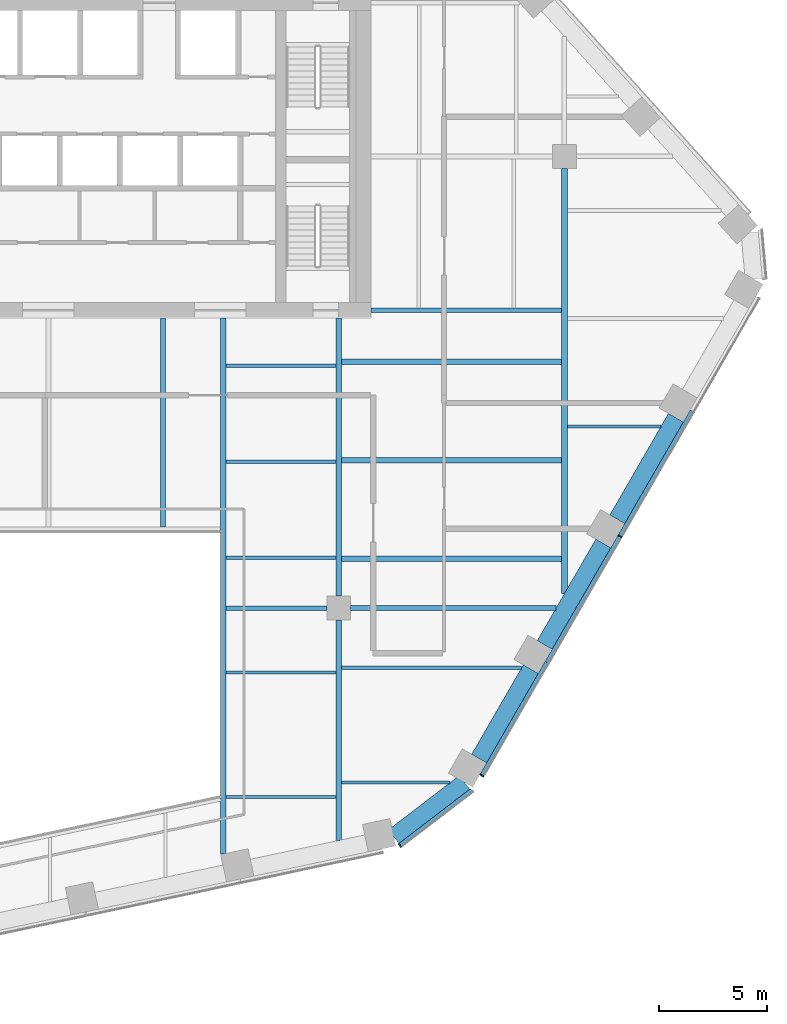
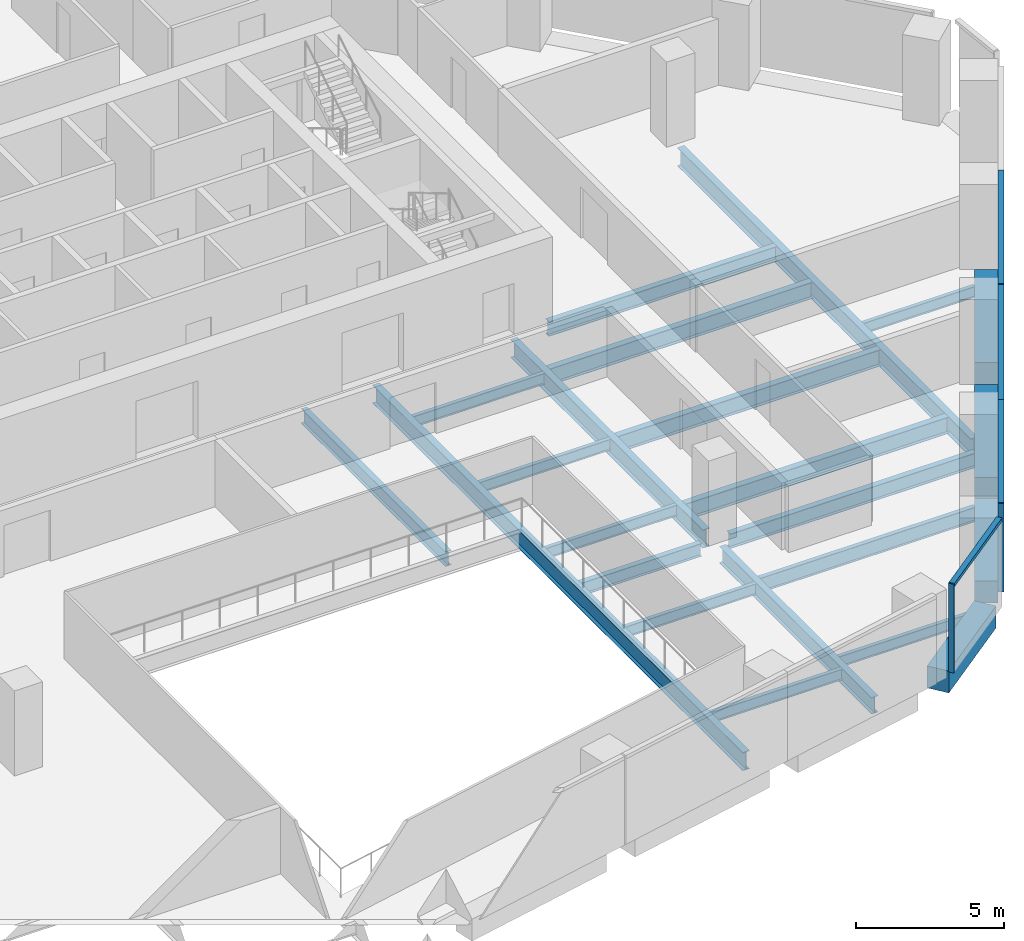
# One storey, part 5 of 16: 23 beams, 7 members, 2 elements without a shape of their own.
"""IFC4 building model written with IfcOpenShell, lengths in metres."""

from ifc_helpers import new_model, si_unit, direction, frame, origin, origin_2d, place, context, subcontext, project, spatial, rectangle, i_section, extrude, material, layer, layer_set, material_profile, profile_set, type_object, element, aggregate, save


model = new_model("IFC4")

# Units and contexts
model_context = context("Model", 3, precision=1e-05, world=origin(), true_north=direction((0.0, 1.0)))
body_context = subcontext(model_context, "Body", "Model", "MODEL_VIEW")
ifc_project = project(units=[si_unit("LENGTHUNIT", "METRE"), si_unit("AREAUNIT", "SQUARE_METRE"), si_unit("VOLUMEUNIT", "CUBIC_METRE"), si_unit("PLANEANGLEUNIT", "RADIAN"), si_unit("MASSUNIT", "GRAM", prefix="KILO")], contexts=[model_context])

# Site, building, storey
site_placement = place(None, origin())
site = spatial("IfcSite", under=ifc_project, at=site_placement, CompositionType="ELEMENT")
building_placement = place(site_placement, origin())
building = spatial("IfcBuilding", under=site, at=building_placement, Name="Isthmus Gate Tower", CompositionType="ELEMENT")
storey_placement = place(building_placement, frame((0.0, 0.0, 196.35009765625)))
storey = spatial("IfcBuildingStorey", under=building, at=storey_placement, Name="L49", CompositionType="ELEMENT", Elevation=196.35009765625)

# Curtain wall, member
ifc_material_1 = material(Name="Aluminium, pale champagne anodised", Category="aluminium")
ifc_layer = layer(ifc_material_1, 0.199951171875)
ifc_layer_set = layer_set([ifc_layer], Name="CW-1 UNITISED CURTAIN WALL 200 DEEP")
curtain_wall_type = type_object("IfcCurtainWallType", Name="CW-1 UNITISED CURTAIN WALL 200 DEEP", PredefinedType="NOTDEFINED", material=ifc_layer_set)
curtain_wall_1_placement = place(storey_placement, origin())
curtain_wall_1 = element("IfcCurtainWall", 1, at=curtain_wall_1_placement, inside=storey, type_object=curtain_wall_type, Name="CW-1 S-SE L49", PredefinedType="NOTDEFINED")
ifc_material_2 = material(Name="Aluminium, pale champagne anodised", Category="aluminium")
ifc_material_profile_1 = material_profile(ifc_material_2, rectangle(XDim=0.06005859375, YDim=0.199951171875, at=origin_2d()), Name="60x200")
ifc_profile_set_1 = profile_set([ifc_material_profile_1], Name="Aluminium, pale champagne anodised")
member_type_1 = type_object("IfcMemberType", Name="CW-1 MULLION 60 X 200", PredefinedType="MULLION", material=ifc_profile_set_1)
member_1_placement = place(storey_placement, frame((16.346435546875, -24.5419921875, 0.0), z_axis=(0.0, 0.0, 1.0), x_axis=(0.794188594387, 0.607671355706, 0.0)))
member_1 = element("IfcMember", 2, at=member_1_placement, type_object=member_type_1, Name="CW-1 mullion", PredefinedType="MULLION", context=body_context, shape_type="SweptSolid", body=[
    extrude(rectangle(XDim=0.06005859375, YDim=0.199951171875, at=origin_2d()), origin(), (0.0, 0.0, 1.0), 3.64990234375),
])

# Curtain wall, members
curtain_wall_2_placement = place(storey_placement, origin())
curtain_wall_2 = element("IfcCurtainWall", 3, at=curtain_wall_2_placement, inside=storey, type_object=curtain_wall_type, Name="CW-1 SE L49", PredefinedType="NOTDEFINED")
member_2_placement = place(storey_placement, frame((20.156005859375, -21.288818359375, 0.0), z_axis=(0.0, 0.0, 1.0), x_axis=(0.5, 0.866025403784, 0.0)))
member_2 = element("IfcMember", 4, at=member_2_placement, type_object=member_type_1, Name="CW-1 mullion", PredefinedType="MULLION", context=body_context, shape_type="SweptSolid", body=[
    extrude(rectangle(XDim=0.06005859375, YDim=0.199951171875, at=origin_2d()), origin(), (0.0, 0.0, 1.0), 3.64990234375),
])
member_3_placement = place(storey_placement, frame((26.5810546875, -10.16015625, 0.0), z_axis=(0.0, 0.0, 1.0), x_axis=(0.5, 0.866025403784, 0.0)))
member_3 = element("IfcMember", 5, at=member_3_placement, type_object=member_type_1, Name="CW-1 mullion", PredefinedType="MULLION", context=body_context, shape_type="SweptSolid", body=[
    extrude(rectangle(XDim=0.06005859375, YDim=0.199951171875, at=origin_2d()), origin(), (0.0, 0.0, 1.0), 3.64990234375),
])

# Member
ifc_material_3 = material(Name="Aluminium, pale champagne anodised", Category="aluminium")
ifc_material_profile_2 = material_profile(ifc_material_3, rectangle(XDim=0.199951171875, YDim=0.139892578125, at=origin_2d()), Name="200x140")
ifc_profile_set_2 = profile_set([ifc_material_profile_2], Name="Aluminium, pale champagne anodised")
member_type_2 = type_object("IfcMemberType", Name="CW-1 TRANSOM 200 X 140", PredefinedType="USERDEFINED", material=ifc_profile_set_2)
member_4_placement = place(storey_placement, frame((16.3701171875, -24.52392578125, 3.579833984375), z_axis=(0.79419705805, 0.607660294066, 0.0), x_axis=(-0.607660294066, 0.79419705805, 0.0)))
member_4 = element("IfcMember", 6, at=member_4_placement, type_object=member_type_2, Name="CW-1 transom", ObjectType="TRANSOM", PredefinedType="USERDEFINED", context=body_context, shape_type="SweptSolid", body=[
    extrude(rectangle(XDim=0.199951171875, YDim=0.139892578125, at=origin_2d()), origin(), (0.0, 0.0, 1.0), 4.181640625),
])

aggregate(curtain_wall_1, [member_1, member_4])

member_5_placement = place(storey_placement, frame((20.171142578125, -21.2626953125, 3.579833984375), z_axis=(0.499990697366, 0.866030774596, 0.0), x_axis=(-0.866030774596, 0.499990697366, 0.0)))
member_5 = element("IfcMember", 7, at=member_5_placement, type_object=member_type_2, Name="CW-1 transom", ObjectType="TRANSOM", PredefinedType="USERDEFINED", context=body_context, shape_type="SweptSolid", body=[
    extrude(rectangle(XDim=0.199951171875, YDim=0.139892578125, at=origin_2d()), origin(), (0.0, 0.0, 1.0), 6.0400390625),
])

member_6_placement = place(storey_placement, frame((23.191162109375, -16.03173828125, 3.579833984375), z_axis=(0.499997969693, 0.866026575979, 0.0), x_axis=(-0.866026575979, 0.499997969693, 0.0)))
member_6 = element("IfcMember", 8, at=member_6_placement, type_object=member_type_2, Name="CW-1 transom", ObjectType="TRANSOM", PredefinedType="USERDEFINED", context=body_context, shape_type="SweptSolid", body=[
    extrude(rectangle(XDim=0.199951171875, YDim=0.139892578125, at=origin_2d()), origin(), (0.0, 0.0, 1.0), 6.75),
])

member_7_placement = place(storey_placement, frame((26.59619140625, -10.134033203125, 3.579833984375), z_axis=(0.499997283838, 0.866026971956, 0.0), x_axis=(-0.866026971956, 0.499997283838, 0.0)))
member_7 = element("IfcMember", 9, at=member_7_placement, type_object=member_type_2, Name="CW-1 transom", ObjectType="TRANSOM", PredefinedType="USERDEFINED", context=body_context, shape_type="SweptSolid", body=[
    extrude(rectangle(XDim=0.199951171875, YDim=0.139892578125, at=origin_2d()), origin(), (0.0, 0.0, 1.0), 6.68994140625),
])

aggregate(curtain_wall_2, [member_2, member_5, member_6, member_3, member_7])

# Beams
ifc_material_4 = material(Name="Concrete f'c 60 MPa", Category="concrete")
ifc_material_profile_3 = material_profile(ifc_material_4, rectangle(XDim=0.800048828125, YDim=0.89990234375, at=origin_2d()), Name="RC 800X900")
ifc_profile_set_3 = profile_set([ifc_material_profile_3], Name="Concrete f'c 60 MPa")
beam_type_1 = type_object("IfcBeamType", Name="RC SPANDREL 800 X 900", PredefinedType="SPANDREL", material=ifc_profile_set_3)
beam_1_placement = place(storey_placement, frame((29.18310546875, -4.653076171875, -0.4501953125), z_axis=(-0.49996933381, -0.866043108194, 0.0), x_axis=(0.866043108194, -0.49996933381, 0.0)))
element("IfcBeam", 10, at=beam_1_placement, inside=storey, type_object=beam_type_1, Name="str-spandrel-L49-07", PredefinedType="SPANDREL", context=body_context, shape_type="SweptSolid", body=[
    extrude(rectangle(XDim=0.800048828125, YDim=0.89990234375, at=origin_2d()), origin(), (0.0, 0.0, 1.0), 5.449951171875),
])
beam_2_placement = place(storey_placement, frame((25.80810546875, -10.4990234375, -0.4501953125), z_axis=(-0.500002931134, -0.866023711487, 0.0), x_axis=(0.866023711487, -0.500002931134, 0.0)))
element("IfcBeam", 11, at=beam_2_placement, inside=storey, type_object=beam_type_1, Name="str-spandrel-L49-08", PredefinedType="SPANDREL", context=body_context, shape_type="SweptSolid", body=[
    extrude(rectangle(XDim=0.800048828125, YDim=0.89990234375, at=origin_2d()), origin(), (0.0, 0.0, 1.0), 5.4501953125),
])
beam_3_placement = place(storey_placement, frame((22.43310546875, -16.3447265625, -0.4501953125), z_axis=(-0.500017431331, -0.866015339567, 0.0), x_axis=(0.866015339567, -0.500017431331, 0.0)))
element("IfcBeam", 12, at=beam_3_placement, inside=storey, type_object=beam_type_1, Name="str-spandrel-L49-09", PredefinedType="SPANDREL", context=body_context, shape_type="SweptSolid", body=[
    extrude(rectangle(XDim=0.800048828125, YDim=0.89990234375, at=origin_2d()), origin(), (0.0, 0.0, 1.0), 4.800048828125),
])
beam_4_placement = place(storey_placement, frame((19.354248046875, -21.611083984375, -0.4501953125), z_axis=(-0.794205941875, -0.607648682949, 0.0), x_axis=(0.607648682949, -0.794205941875, 0.0)))
element("IfcBeam", 13, at=beam_4_placement, inside=storey, type_object=beam_type_1, Name="str-spandrel-L49-10", PredefinedType="SPANDREL", context=body_context, shape_type="SweptSolid", body=[
    extrude(rectangle(XDim=0.800048828125, YDim=0.89990234375, at=origin_2d()), origin(), (0.0, 0.0, 1.0), 4.15234375),
])
ifc_material_5 = material(Name="Structural steel ASTM A992 Gr 50", Category="steel")
ifc_material_profile_4 = material_profile(ifc_material_5, i_section(OverallWidth=0.15234375, OverallDepth=0.45068359375, WebThickness=0.0078125, FlangeThickness=0.010986328125, at=origin_2d()), Name="W18X35")
ifc_profile_set_4 = profile_set([ifc_material_profile_4], Name="Structural steel ASTM A992 Gr 50")
beam_type_2 = type_object("IfcBeamType", Name="STEEL FLOOR BEAM W18X35", PredefinedType="JOIST", material=ifc_profile_set_4)
for number, where, z_axis, x_axis, name in (
    (14, (8.263427734375, -22.291015625, -0.37548828125), (1.0, 0.0, 0.0), (0.0, 1.0, 0.0), "str-beam-L49-09-00"),
    (15, (8.263427734375, -16.500244140625, -0.37548828125), (1.0, 0.0, 0.0), (0.0, 1.0, 0.0), "str-beam-L49-09-01"),
):
    element("IfcBeam", number, at=place(storey_placement, frame(where, z_axis=z_axis, x_axis=x_axis)), inside=storey, type_object=beam_type_2, Name=name, PredefinedType="JOIST", context=body_context, shape_type="SweptSolid", body=[
        extrude(i_section(OverallWidth=0.15234375, OverallDepth=0.45068359375, WebThickness=0.0078125, FlangeThickness=0.010986328125, at=origin_2d()), origin(), (0.0, 0.0, 1.0), 5.109619140625),
    ])
for number, where, z_axis, x_axis, name in (
    (16, (8.263427734375, -11.16259765625, -0.37548828125), (1.0, 0.0, 0.0), (0.0, 1.0, 0.0), "str-beam-L49-10-00"),
    (17, (8.263427734375, -6.697509765625, -0.37548828125), (1.0, 0.0, 0.0), (0.0, 1.0, 0.0), "str-beam-L49-10-01"),
    (18, (8.263427734375, -2.232421875, -0.37548828125), (1.0, 0.0, 0.0), (0.0, 1.0, 0.0), "str-beam-L49-10-02"),
):
    element("IfcBeam", number, at=place(storey_placement, frame(where, z_axis=z_axis, x_axis=x_axis)), inside=storey, type_object=beam_type_2, Name=name, PredefinedType="JOIST", context=body_context, shape_type="SweptSolid", body=[
        extrude(i_section(OverallWidth=0.15234375, OverallDepth=0.45068359375, WebThickness=0.0078125, FlangeThickness=0.010986328125, at=origin_2d()), origin(), (0.0, 0.0, 1.0), 5.104736328125),
    ])
beam_5_placement = place(storey_placement, frame((13.626953125, -21.61767578125, -0.37548828125), z_axis=(1.0, 0.0, 0.0), x_axis=(0.0, 1.0, 0.0)))
element("IfcBeam", 19, at=beam_5_placement, inside=storey, type_object=beam_type_2, Name="str-beam-L49-11-00", PredefinedType="JOIST", context=body_context, shape_type="SweptSolid", body=[
    extrude(i_section(OverallWidth=0.15234375, OverallDepth=0.45068359375, WebThickness=0.0078125, FlangeThickness=0.010986328125, at=origin_2d()), origin(), (0.0, 0.0, 1.0), 5.060302734375),
])
beam_6_placement = place(storey_placement, frame((24.13330078125, -5.0625, -0.37548828125), z_axis=(1.0, 0.0, 0.0), x_axis=(0.0, 1.0, 0.0)))
element("IfcBeam", 20, at=beam_6_placement, inside=storey, type_object=beam_type_2, Name="str-beam-L49-16-00", PredefinedType="JOIST", context=body_context, shape_type="SweptSolid", body=[
    extrude(i_section(OverallWidth=0.15234375, OverallDepth=0.45068359375, WebThickness=0.0078125, FlangeThickness=0.010986328125, at=origin_2d()), origin(), (0.0, 0.0, 1.0), 4.351806640625),
])
ifc_material_6 = material(Name="Structural steel ASTM A992 Gr 50", Category="steel")
ifc_material_profile_5 = material_profile(ifc_material_6, i_section(OverallWidth=0.177734375, OverallDepth=0.60009765625, WebThickness=0.009521484375, FlangeThickness=0.0126953125, at=origin_2d()), Name="W24X55")
ifc_profile_set_5 = profile_set([ifc_material_profile_5], Name="Structural steel ASTM A992 Gr 50")
beam_type_3 = type_object("IfcBeamType", Name="STEEL FLOOR BEAM W24X55", PredefinedType="JOIST", material=ifc_profile_set_5)
beam_7_placement = place(storey_placement, frame((13.626953125, -16.2822265625, -0.4501953125), z_axis=(1.0, 0.0, 0.0), x_axis=(0.0, 1.0, 0.0)))
element("IfcBeam", 21, at=beam_7_placement, inside=storey, type_object=beam_type_3, Name="str-beam-L49-11-01", PredefinedType="JOIST", context=body_context, shape_type="SweptSolid", body=[
    extrude(i_section(OverallWidth=0.177734375, OverallDepth=0.60009765625, WebThickness=0.009521484375, FlangeThickness=0.0126953125, at=origin_2d()), origin(), (0.0, 0.0, 1.0), 8.38037109375),
])
ifc_material_7 = material(Name="Structural steel ASTM A992 Gr 50", Category="steel")
ifc_material_profile_6 = material_profile(ifc_material_7, i_section(OverallWidth=0.228515625, OverallDepth=0.603271484375, WebThickness=0.010986328125, FlangeThickness=0.014404296875, at=origin_2d()), Name="W24X68")
ifc_profile_set_6 = profile_set([ifc_material_profile_6], Name="Structural steel ASTM A992 Gr 50")
beam_type_4 = type_object("IfcBeamType", Name="STEEL FLOOR BEAM W24X68", PredefinedType="JOIST", material=ifc_profile_set_6)
beam_8_placement = place(storey_placement, frame((5.333251953125, -9.7333984375, -0.45166015625), z_axis=(0.0, 1.0, 0.0), x_axis=(-1.0, 0.0, 0.0)))
element("IfcBeam", 22, at=beam_8_placement, inside=storey, type_object=beam_type_4, Name="str-beam-L49-06-02", PredefinedType="JOIST", context=body_context, shape_type="SweptSolid", body=[
    extrude(i_section(OverallWidth=0.228515625, OverallDepth=0.603271484375, WebThickness=0.010986328125, FlangeThickness=0.014404296875, at=origin_2d()), origin(), (0.0, 0.0, 1.0), 9.7333984375),
])
ifc_material_8 = material(Name="Structural steel ASTM A992 Gr 50", Category="steel")
ifc_material_profile_7 = material_profile(ifc_material_8, i_section(OverallWidth=0.25390625, OverallDepth=0.679443359375, WebThickness=0.010986328125, FlangeThickness=0.015869140625, at=origin_2d()), Name="W27X84")
ifc_profile_set_7 = profile_set([ifc_material_profile_7], Name="Structural steel ASTM A992 Gr 50")
beam_type_5 = type_object("IfcBeamType", Name="STEEL FLOOR BEAM W27X84", PredefinedType="JOIST", material=ifc_profile_set_7)
for number, where, z_axis, x_axis, name in (
    (23, (13.6318359375, -11.210693359375, -0.48974609375), (1.0, 0.0, 0.0), (0.0, 1.0, 0.0), "str-beam-L49-12-00"),
    (24, (13.6318359375, -6.632080078125, -0.48974609375), (1.0, 0.0, 0.0), (0.0, 1.0, 0.0), "str-beam-L49-12-01"),
    (25, (13.6318359375, -2.053466796875, -0.48974609375), (1.0, 0.0, 0.0), (0.0, 1.0, 0.0), "str-beam-L49-12-02"),
):
    element("IfcBeam", number, at=place(storey_placement, frame(where, z_axis=z_axis, x_axis=x_axis)), inside=storey, type_object=beam_type_5, Name=name, PredefinedType="JOIST", context=body_context, shape_type="SweptSolid", body=[
        extrude(i_section(OverallWidth=0.25390625, OverallDepth=0.679443359375, WebThickness=0.010986328125, FlangeThickness=0.015869140625, at=origin_2d()), origin(), (0.0, 0.0, 1.0), 10.23486328125),
    ])
ifc_material_9 = material(Name="Structural steel ASTM A992 Gr 50", Category="steel")
ifc_material_profile_8 = material_profile(ifc_material_9, i_section(OverallWidth=0.20947265625, OverallDepth=0.533447265625, WebThickness=0.009521484375, FlangeThickness=0.015869140625, at=origin_2d()), Name="W21X62")
ifc_profile_set_8 = profile_set([ifc_material_profile_8], Name="Structural steel ASTM A992 Gr 50")
beam_type_6 = type_object("IfcBeamType", Name="STEEL GIRDER W21X62", PredefinedType="BEAM", material=ifc_profile_set_8)
beam_9_placement = place(storey_placement, frame((8.263427734375, -13.5, -0.416748046875), z_axis=(1.0, 0.0, 0.0), x_axis=(0.0, 1.0, 0.0)))
element("IfcBeam", 26, at=beam_9_placement, inside=storey, type_object=beam_type_6, Name="str-girder-L49-03", PredefinedType="BEAM", context=body_context, shape_type="SweptSolid", body=[
    extrude(i_section(OverallWidth=0.20947265625, OverallDepth=0.533447265625, WebThickness=0.009521484375, FlangeThickness=0.015869140625, at=origin_2d()), origin(), (0.0, 0.0, 1.0), 4.6865234375),
])
ifc_material_10 = material(Name="Structural steel ASTM A992 Gr 50", Category="steel")
ifc_material_profile_9 = material_profile(ifc_material_10, i_section(OverallWidth=0.228515625, OverallDepth=0.6064453125, WebThickness=0.010986328125, FlangeThickness=0.017578125, at=origin_2d()), Name="W24X76")
ifc_profile_set_9 = profile_set([ifc_material_profile_9], Name="Structural steel ASTM A992 Gr 50")
beam_type_7 = type_object("IfcBeamType", Name="STEEL GIRDER W24X76", PredefinedType="BEAM", material=ifc_profile_set_9)
beam_10_placement = place(storey_placement, frame((14.050048828125, -13.5, -0.453369140625), z_axis=(1.0, 0.0, 0.0), x_axis=(0.0, 1.0, 0.0)))
element("IfcBeam", 27, at=beam_10_placement, inside=storey, type_object=beam_type_7, Name="str-girder-L49-04", PredefinedType="BEAM", context=body_context, shape_type="SweptSolid", body=[
    extrude(i_section(OverallWidth=0.228515625, OverallDepth=0.6064453125, WebThickness=0.010986328125, FlangeThickness=0.017578125, at=origin_2d()), origin(), (0.0, 0.0, 1.0), 9.5634765625),
])
beam_11_placement = place(storey_placement, frame((15.0, 0.35009765625, -0.453369140625), z_axis=(1.0, 0.0, 0.0), x_axis=(0.0, 1.0, 0.0)))
element("IfcBeam", 28, at=beam_11_placement, inside=storey, type_object=beam_type_7, Name="str-girder-L49-14", PredefinedType="BEAM", context=body_context, shape_type="SweptSolid", body=[
    extrude(i_section(OverallWidth=0.228515625, OverallDepth=0.6064453125, WebThickness=0.010986328125, FlangeThickness=0.017578125, at=origin_2d()), origin(), (0.0, 0.0, 1.0), 8.86669921875),
])
ifc_material_11 = material(Name="Structural steel ASTM A992 Gr 50", Category="steel")
ifc_material_profile_10 = material_profile(ifc_material_11, i_section(OverallWidth=0.25390625, OverallDepth=0.679443359375, WebThickness=0.010986328125, FlangeThickness=0.015869140625, at=origin_2d()), Name="W27X84")
ifc_profile_set_10 = profile_set([ifc_material_profile_10], Name="Structural steel ASTM A992 Gr 50")
beam_type_8 = type_object("IfcBeamType", Name="STEEL GIRDER W27X84", PredefinedType="BEAM", material=ifc_profile_set_10)
beam_12_placement = place(storey_placement, frame((13.5, -24.3125, -0.48974609375), z_axis=(0.0, 1.0, 0.0), x_axis=(-1.0, 0.0, 0.0)))
element("IfcBeam", 29, at=beam_12_placement, inside=storey, type_object=beam_type_8, Name="str-girder-L49-09", PredefinedType="BEAM", context=body_context, shape_type="SweptSolid", body=[
    extrude(i_section(OverallWidth=0.25390625, OverallDepth=0.679443359375, WebThickness=0.010986328125, FlangeThickness=0.015869140625, at=origin_2d()), origin(), (0.0, 0.0, 1.0), 10.262451171875),
])
ifc_material_12 = material(Name="Structural steel ASTM A992 Gr 50", Category="steel")
ifc_material_profile_11 = material_profile(ifc_material_12, i_section(OverallWidth=0.2666015625, OverallDepth=0.7587890625, WebThickness=0.014404296875, FlangeThickness=0.01904296875, at=origin_2d()), Name="W30X108")
ifc_profile_set_11 = profile_set([ifc_material_profile_11], Name="Structural steel ASTM A992 Gr 50")
beam_type_9 = type_object("IfcBeamType", Name="STEEL GIRDER W30X108", PredefinedType="BEAM", material=ifc_profile_set_11)
beam_13_placement = place(storey_placement, frame((24.0, -12.830810546875, -0.529541015625), z_axis=(0.0, 1.0, 0.0), x_axis=(-1.0, 0.0, 0.0)))
element("IfcBeam", 30, at=beam_13_placement, inside=storey, type_object=beam_type_9, Name="str-girder-L49-11", PredefinedType="BEAM", context=body_context, shape_type="SweptSolid", body=[
    extrude(i_section(OverallWidth=0.2666015625, OverallDepth=0.7587890625, WebThickness=0.014404296875, FlangeThickness=0.01904296875, at=origin_2d()), origin(), (0.0, 0.0, 1.0), 19.78076171875),
])
ifc_material_13 = material(Name="Structural steel ASTM A992 Gr 50", Category="steel")
ifc_material_profile_12 = material_profile(ifc_material_13, i_section(OverallWidth=0.263427734375, OverallDepth=0.749267578125, WebThickness=0.0126953125, FlangeThickness=0.015869140625, at=origin_2d()), Name="W30X90")
ifc_profile_set_12 = profile_set([ifc_material_profile_12], Name="Structural steel ASTM A992 Gr 50")
beam_type_10 = type_object("IfcBeamType", Name="STEEL GIRDER W30X90", PredefinedType="BEAM", material=ifc_profile_set_12)
beam_14_placement = place(storey_placement, frame((13.5, -12.949951171875, -0.524658203125), z_axis=(0.0, 1.0, 0.0), x_axis=(-1.0, 0.0, 0.0)))
element("IfcBeam", 31, at=beam_14_placement, inside=storey, type_object=beam_type_10, Name="str-girder-L49-10", PredefinedType="BEAM", context=body_context, shape_type="SweptSolid", body=[
    extrude(i_section(OverallWidth=0.263427734375, OverallDepth=0.749267578125, WebThickness=0.0126953125, FlangeThickness=0.015869140625, at=origin_2d()), origin(), (0.0, 0.0, 1.0), 12.949951171875),
])
ifc_material_14 = material(Name="Structural steel ASTM A992 Gr 50", Category="steel")
ifc_material_profile_13 = material_profile(ifc_material_14, i_section(OverallWidth=0.263427734375, OverallDepth=0.749267578125, WebThickness=0.0126953125, FlangeThickness=0.015869140625, at=origin_2d()), Name="W30X90")
ifc_profile_set_13 = profile_set([ifc_material_profile_13], Name="Structural steel ASTM A992 Gr 50")
beam_type_11 = type_object("IfcBeamType", Name="STEEL TRIMMER W30X90", PredefinedType="BEAM", material=ifc_profile_set_13)
beam_15_placement = place(storey_placement, frame((8.1318359375, -24.9423828125, -0.524658203125), z_axis=(0.0, 1.0, 0.0), x_axis=(-1.0, 0.0, 0.0)))
element("IfcBeam", 32, at=beam_15_placement, inside=storey, type_object=beam_type_11, Name="str-trimmer-L49-01", PredefinedType="BEAM", context=body_context, shape_type="SweptSolid", body=[
    extrude(i_section(OverallWidth=0.263427734375, OverallDepth=0.749267578125, WebThickness=0.0126953125, FlangeThickness=0.015869140625, at=origin_2d()), origin(), (0.0, 0.0, 1.0), 24.9423828125),
])

save(model, "model.ifc")
